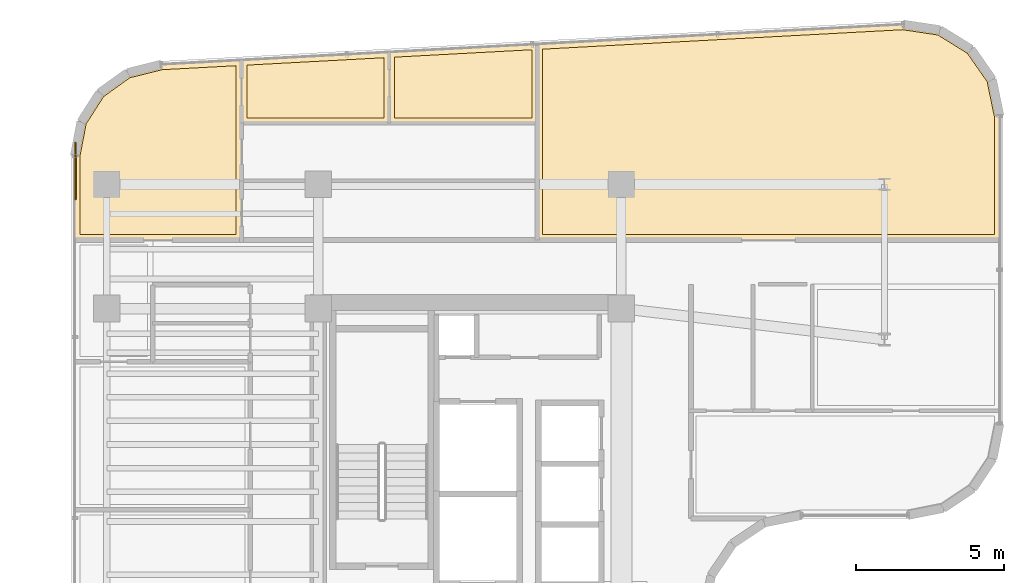
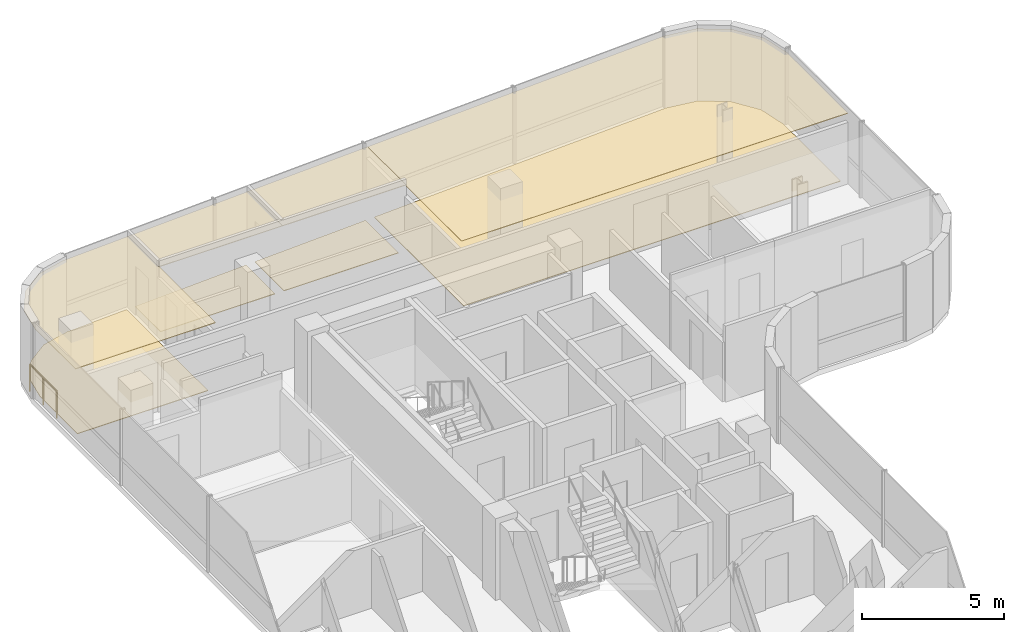
# One storey, part 24 of 24: 8 coverings, 1 railing.
"""IFC4 building model written with IfcOpenShell, lengths in metres."""

from ifc_helpers import new_model, si_unit, direction, frame, origin, origin_2d, place, context, subcontext, project, spatial, polyline, circle, outline, extrude, material, layer, layer_set, type_object, element, save


model = new_model("IFC4")

# Units and contexts
model_context = context("Model", 3, precision=1e-05, world=origin(), true_north=direction((0.0, 1.0)))
body_context = subcontext(model_context, "Body", "Model", "MODEL_VIEW")
ifc_project = project(units=[si_unit("LENGTHUNIT", "METRE"), si_unit("AREAUNIT", "SQUARE_METRE"), si_unit("VOLUMEUNIT", "CUBIC_METRE"), si_unit("PLANEANGLEUNIT", "RADIAN"), si_unit("MASSUNIT", "GRAM", prefix="KILO")], contexts=[model_context])

# Site, building, storey
site_placement = place(None, origin())
site = spatial("IfcSite", under=ifc_project, at=site_placement, CompositionType="ELEMENT")
building_placement = place(site_placement, origin())
building = spatial("IfcBuilding", under=site, at=building_placement, Name="Valdorenza Pilgrim Sanctuary Tower", CompositionType="ELEMENT")
storey_placement = place(building_placement, frame((0.0, 0.0, 205.5)))
storey = spatial("IfcBuildingStorey", under=building, at=storey_placement, Name="L52", CompositionType="ELEMENT", Elevation=205.5)

# Coverings
ifc_material_1 = material(Name="Micro-perforated acoustic mineral ceiling tile", Category="gypsum")
ifc_layer_1 = layer(ifc_material_1, 0.02490234375, Name="Micro-perforated acoustic mineral ceiling tile")
ifc_layer_set_1 = layer_set([ifc_layer_1], Name="Micro-perforated acoustic mineral ceiling tile")
covering_type_1 = type_object("IfcCoveringType", Name="COV-CLG-ACU", PredefinedType="CEILING", material=ifc_layer_set_1)
covering_1_placement = place(storey_placement, frame((0.0, 0.0, 2.9599609375)))
element("IfcCovering", 1, at=covering_1_placement, inside=storey, type_object=covering_type_1, Name="L52 North Grand Residence L52-N1 Bedroom 1 Acoustic Ceiling", PredefinedType="CEILING", context=body_context, shape_type="SweptSolid", body=[
    extrude(outline(polyline([(-25.24560546875, 16.85498046875), (-25.2470703125, 16.85498046875), (-25.24853515625, 16.855224609375), (-25.25, 16.855712890625), (-25.251220703125, 16.856201171875), (-25.252685546875, 16.856689453125), (-25.25390625, 16.857421875), (-25.255126953125, 16.8583984375), (-25.256103515625, 16.859375), (-25.257080078125, 16.860595703125), (-25.258056640625, 16.86181640625), (-25.2587890625, 16.86279296875), (-25.259521484375, 16.8642578125), (-25.260009765625, 16.865478515625), (-25.26025390625, 16.8671875), (-25.260498046875, 16.868408203125), (-25.260498046875, 16.8701171875), (-25.260498046875, 19.00048828125), (-25.260498046875, 19.001953125), (-25.26025390625, 19.00341796875), (-25.260009765625, 19.0048828125), (-25.259521484375, 19.00634765625), (-25.2587890625, 19.0078125), (-25.2578125, 19.009033203125), (-25.257080078125, 19.01025390625), (-25.256103515625, 19.01123046875), (-25.2548828125, 19.01220703125), (-25.253662109375, 19.01318359375), (-25.252197265625, 19.013916015625), (-25.250732421875, 19.014404296875), (-25.24951171875, 19.014892578125), (-25.247802734375, 19.01513671875), (-25.246337890625, 19.015380859375), (-20.24853515625, 19.28515625), (-20.247314453125, 19.28515625), (-20.24560546875, 19.284912109375), (-20.244384765625, 19.28466796875), (-20.242919921875, 19.2841796875), (-20.24169921875, 19.28369140625), (-20.240478515625, 19.283203125), (-20.239013671875, 19.282470703125), (-20.238037109375, 19.281494140625), (-20.237060546875, 19.280517578125), (-20.236083984375, 19.279296875), (-20.235107421875, 19.2783203125), (-20.234619140625, 19.277099609375), (-20.23388671875, 19.275634765625), (-20.2333984375, 19.2744140625), (-20.233154296875, 19.27294921875), (-20.23291015625, 19.271484375), (-20.23291015625, 19.27001953125), (-20.23291015625, 16.8701171875), (-20.23291015625, 16.868408203125), (-20.233154296875, 16.8671875), (-20.2333984375, 16.865478515625), (-20.23388671875, 16.8642578125), (-20.234619140625, 16.86279296875), (-20.2353515625, 16.86181640625), (-20.236083984375, 16.860595703125), (-20.2373046875, 16.859375), (-20.23828125, 16.8583984375), (-20.239501953125, 16.857421875), (-20.24072265625, 16.856689453125), (-20.2421875, 16.856201171875), (-20.243408203125, 16.855712890625), (-20.244873046875, 16.855224609375), (-20.246337890625, 16.85498046875), (-20.247802734375, 16.85498046875), (-25.24560546875, 16.85498046875)])), origin(), (0.0, 0.0, 1.0), 0.025146484375),
])
covering_2_placement = place(storey_placement, frame((0.0, 0.0, 2.9599609375)))
element("IfcCovering", 2, at=covering_2_placement, inside=storey, type_object=covering_type_1, Name="L52 North Grand Residence L52-N1 Bedroom 2 Acoustic Ceiling", PredefinedType="CEILING", context=body_context, shape_type="SweptSolid", body=[
    extrude(outline(polyline([(-20.2607421875, 19.27001953125), (-20.2607421875, 19.27099609375), (-20.260498046875, 19.2724609375), (-20.260498046875, 19.27392578125), (-20.260009765625, 19.275390625), (-20.259521484375, 19.276611328125), (-20.2587890625, 19.27783203125), (-20.2578125, 19.279052734375), (-20.2568359375, 19.2802734375), (-20.255859375, 19.28125), (-20.2548828125, 19.2822265625), (-20.253662109375, 19.283203125), (-20.252197265625, 19.28369140625), (-20.2509765625, 19.2841796875), (-20.24951171875, 19.284912109375), (-20.248046875, 19.28515625), (-20.24658203125, 19.28515625), (-15.251708984375, 19.5546875), (-15.250732421875, 19.5546875), (-15.25, 19.5546875), (-15.24853515625, 19.5546875), (-15.2470703125, 19.554443359375), (-15.24560546875, 19.55419921875), (-15.244384765625, 19.5537109375), (-15.242919921875, 19.552978515625), (-15.24169921875, 19.55224609375), (-15.240478515625, 19.551513671875), (-15.239501953125, 19.55029296875), (-15.23828125, 19.54931640625), (-15.237548828125, 19.548095703125), (-15.23681640625, 19.546875), (-15.236083984375, 19.54541015625), (-15.235595703125, 19.544189453125), (-15.2353515625, 19.542724609375), (-15.235107421875, 19.541259765625), (-15.235107421875, 19.539794921875), (-15.235107421875, 16.8701171875), (-15.235107421875, 16.868408203125), (-15.2353515625, 16.8671875), (-15.235595703125, 16.865478515625), (-15.236083984375, 16.8642578125), (-15.23681640625, 16.86279296875), (-15.237548828125, 16.86181640625), (-15.23828125, 16.860595703125), (-15.239501953125, 16.859375), (-15.240478515625, 16.8583984375), (-15.24169921875, 16.857421875), (-15.242919921875, 16.856689453125), (-15.244384765625, 16.856201171875), (-15.24560546875, 16.855712890625), (-15.2470703125, 16.855224609375), (-15.24853515625, 16.85498046875), (-15.25, 16.85498046875), (-20.245849609375, 16.85498046875), (-20.247314453125, 16.85498046875), (-20.248779296875, 16.855224609375), (-20.250244140625, 16.855712890625), (-20.25146484375, 16.856201171875), (-20.2529296875, 16.856689453125), (-20.254150390625, 16.857421875), (-20.25537109375, 16.8583984375), (-20.25634765625, 16.859375), (-20.25732421875, 16.860595703125), (-20.25830078125, 16.86181640625), (-20.259033203125, 16.86279296875), (-20.259765625, 16.8642578125), (-20.26025390625, 16.865478515625), (-20.260498046875, 16.8671875), (-20.2607421875, 16.868408203125), (-20.2607421875, 16.8701171875), (-20.2607421875, 19.27001953125), (-20.2607421875, 19.27001953125)])), origin(), (0.0, 0.0, 1.0), 0.025146484375),
])
covering_3_placement = place(storey_placement, frame((0.0, 0.0, 2.9599609375)))
element("IfcCovering", 3, at=covering_3_placement, inside=storey, type_object=covering_type_1, Name="L52 North Grand Residence L52-N1 Living Room Acoustic Ceiling", PredefinedType="CEILING", context=body_context, shape_type="SweptSolid", body=[
    extrude(outline(polyline([(-28.25537109375, 12.906982421875), (-30.889892578125, 12.906982421875), (-30.8916015625, 12.906982421875), (-30.892822265625, 12.9072265625), (-30.894287109375, 12.90771484375), (-30.895751953125, 12.908203125), (-30.897216796875, 12.90869140625), (-30.898193359375, 12.909423828125), (-30.8994140625, 12.910400390625), (-30.900634765625, 12.911376953125), (-30.901611328125, 12.91259765625), (-30.902587890625, 12.913818359375), (-30.9033203125, 12.914794921875), (-30.90380859375, 12.916259765625), (-30.904296875, 12.91748046875), (-30.90478515625, 12.919189453125), (-30.90478515625, 12.92041015625), (-30.905029296875, 12.922119140625), (-30.905029296875, 15.757568359375), (-30.90478515625, 15.759033203125), (-30.90478515625, 15.760498046875), (-30.683349609375, 16.9140625), (-30.68310546875, 16.915283203125), (-30.6826171875, 16.916748046875), (-30.681884765625, 16.918212890625), (-30.681396484375, 16.919189453125), (-30.05419921875, 17.89990234375), (-30.053466796875, 17.901123046875), (-30.052490234375, 17.90234375), (-30.051513671875, 17.9033203125), (-30.05029296875, 17.904052734375), (-29.104736328125, 18.5830078125), (-29.103515625, 18.583740234375), (-29.102294921875, 18.58447265625), (-29.10107421875, 18.5849609375), (-29.099609375, 18.58544921875), (-27.959716796875, 18.86865234375), (-27.958251953125, 18.868896484375), (-27.956787109375, 18.869140625), (-25.248291015625, 19.015380859375), (-25.2470703125, 19.015380859375), (-25.24560546875, 19.01513671875), (-25.244140625, 19.014892578125), (-25.242919921875, 19.014404296875), (-25.241455078125, 19.013916015625), (-25.240234375, 19.01318359375), (-25.239013671875, 19.012451171875), (-25.23779296875, 19.01171875), (-25.23681640625, 19.0107421875), (-25.23583984375, 19.009521484375), (-25.235107421875, 19.00830078125), (-25.234375, 19.007080078125), (-25.233642578125, 19.005859375), (-25.233154296875, 19.00439453125), (-25.23291015625, 19.003173828125), (-25.232666015625, 19.001708984375), (-25.232666015625, 19.000244140625), (-25.232666015625, 16.87548828125), (-25.232421875, 16.875), (-25.231689453125, 16.87353515625), (-25.231201171875, 16.872314453125), (-25.23095703125, 16.870849609375), (-25.230712890625, 16.869384765625), (-25.230712890625, 16.867919921875), (-25.230712890625, 12.919921875), (-25.230712890625, 12.91845703125), (-25.23095703125, 12.9169921875), (-25.231201171875, 12.91552734375), (-25.231689453125, 12.914306640625), (-25.232421875, 12.912841796875), (-25.233154296875, 12.91162109375), (-25.23388671875, 12.910400390625), (-25.235107421875, 12.909423828125), (-25.236083984375, 12.908447265625), (-25.2373046875, 12.907470703125), (-25.238525390625, 12.90673828125), (-25.239990234375, 12.906005859375), (-25.2412109375, 12.905517578125), (-25.24267578125, 12.9052734375), (-25.244140625, 12.905029296875), (-25.24560546875, 12.905029296875), (-28.248046875, 12.905029296875), (-28.24951171875, 12.905029296875), (-28.250732421875, 12.9052734375), (-28.252197265625, 12.905517578125), (-28.253662109375, 12.906005859375), (-28.2548828125, 12.90673828125), (-28.25537109375, 12.906982421875)])), origin(), (0.0, 0.0, 1.0), 0.025146484375),
])
covering_4_placement = place(storey_placement, frame((0.0, 0.0, 2.9599609375)))
element("IfcCovering", 4, at=covering_4_placement, inside=storey, type_object=covering_type_1, Name="L52 Sacred Archive Reading Library L52-N2 Acoustic Ceiling", PredefinedType="CEILING", context=body_context, shape_type="SweptSolid", body=[
    extrude(outline(polyline([(-15.262939453125, 14.918212890625), (-15.26318359375, 14.9189453125), (-15.26318359375, 14.92041015625), (-15.26318359375, 14.922119140625), (-15.26318359375, 14.923583984375), (-15.262939453125, 14.923828125), (-15.262939453125, 16.8662109375), (-15.26318359375, 16.866943359375), (-15.26318359375, 16.868408203125), (-15.26318359375, 16.8701171875), (-15.26318359375, 16.87158203125), (-15.262939453125, 16.871826171875), (-15.262939453125, 19.539794921875), (-15.262939453125, 19.539794921875), (-15.262939453125, 19.540771484375), (-15.2626953125, 19.5419921875), (-15.2626953125, 19.543701171875), (-15.26220703125, 19.544921875), (-15.26171875, 19.54638671875), (-15.260986328125, 19.547607421875), (-15.260009765625, 19.548828125), (-15.259033203125, 19.550048828125), (-15.258056640625, 19.551025390625), (-15.257080078125, 19.552001953125), (-15.255859375, 19.552734375), (-15.25439453125, 19.553466796875), (-15.253173828125, 19.55419921875), (-15.251708984375, 19.554443359375), (-15.250244140625, 19.5546875), (-15.248779296875, 19.554931640625), (-2.87841796875, 20.222412109375), (-2.876953125, 20.222412109375), (-2.87548828125, 20.222412109375), (-1.63232421875, 20.035400390625), (-1.630859375, 20.03515625), (-1.62939453125, 20.034912109375), (-1.628173828125, 20.0341796875), (-1.626708984375, 20.033447265625), (-0.568359375, 19.376708984375), (-0.567138671875, 19.3759765625), (-0.56591796875, 19.375), (-0.56494140625, 19.373779296875), (-0.56396484375, 19.372802734375), (0.148681640625, 18.351318359375), (0.1494140625, 18.349853515625), (0.150146484375, 18.3486328125), (0.150634765625, 18.34716796875), (0.151123046875, 18.345703125), (0.40478515625, 17.114501953125), (0.40478515625, 17.11279296875), (0.405029296875, 17.111328125), (0.405029296875, 12.919921875), (0.40478515625, 12.91845703125), (0.40478515625, 12.9169921875), (0.404296875, 12.91552734375), (0.40380859375, 12.914306640625), (0.4033203125, 12.912841796875), (0.402587890625, 12.91162109375), (0.401611328125, 12.910400390625), (0.400634765625, 12.909423828125), (0.3994140625, 12.908447265625), (0.398193359375, 12.907470703125), (0.397216796875, 12.90673828125), (0.395751953125, 12.906005859375), (0.394287109375, 12.905517578125), (0.392822265625, 12.9052734375), (0.3916015625, 12.905029296875), (0.389892578125, 12.905029296875), (-15.248046875, 12.905029296875), (-15.24951171875, 12.905029296875), (-15.2509765625, 12.9052734375), (-15.25244140625, 12.905517578125), (-15.253662109375, 12.906005859375), (-15.255126953125, 12.90673828125), (-15.25634765625, 12.907470703125), (-15.257568359375, 12.908447265625), (-15.258544921875, 12.909423828125), (-15.259521484375, 12.910400390625), (-15.260498046875, 12.91162109375), (-15.26123046875, 12.912841796875), (-15.261962890625, 12.914306640625), (-15.262451171875, 12.91552734375), (-15.2626953125, 12.9169921875), (-15.262939453125, 12.91845703125), (-15.262939453125, 12.919921875), (-15.262939453125, 14.918212890625)])), origin(), (0.0, 0.0, 1.0), 0.025146484375),
])
ifc_material_2 = material(Name="Engineered European oak timber flooring", Category="wood")
ifc_layer_2 = layer(ifc_material_2, 0.02197265625, Name="Engineered European oak timber flooring")
ifc_layer_set_2 = layer_set([ifc_layer_2], Name="Engineered European oak timber flooring")
covering_type_2 = type_object("IfcCoveringType", Name="COV-FLR-OAK", PredefinedType="FLOORING", material=ifc_layer_set_2)
covering_5_placement = place(storey_placement, origin())
element("IfcCovering", 5, at=covering_5_placement, inside=storey, type_object=covering_type_2, Name="L52 North Grand Residence L52-N1 Bedroom 1 Flooring", PredefinedType="FLOORING", context=body_context, shape_type="SweptSolid", body=[
    extrude(outline(polyline([(-25.065673828125, 17.050048828125), (-25.065673828125, 18.829833984375), (-20.427734375, 19.080078125), (-20.427734375, 17.050048828125), (-25.065673828125, 17.050048828125)])), origin(), (0.0, 0.0, 1.0), 0.02490234375),
])
covering_6_placement = place(storey_placement, origin())
element("IfcCovering", 6, at=covering_6_placement, inside=storey, type_object=covering_type_2, Name="L52 North Grand Residence L52-N1 Bedroom 2 Flooring", PredefinedType="FLOORING", context=body_context, shape_type="SweptSolid", body=[
    extrude(outline(polyline([(-15.43017578125, 17.050048828125), (-20.06591796875, 17.050048828125), (-20.06591796875, 19.099609375), (-15.430908203125, 19.349853515625), (-15.43017578125, 17.050048828125)])), origin(), (0.0, 0.0, 1.0), 0.02490234375),
])
covering_7_placement = place(storey_placement, origin())
element("IfcCovering", 7, at=covering_7_placement, inside=storey, type_object=covering_type_2, Name="L52 North Grand Residence L52-N1 Living Room Flooring", PredefinedType="FLOORING", context=body_context, shape_type="SweptSolid", body=[
    extrude(outline(polyline([(-28.22314453125, 13.10009765625), (-28.22314453125, 13.10009765625), (-28.223388671875, 13.10009765625), (-28.240966796875, 13.101806640625), (-28.2412109375, 13.101806640625), (-28.25, 13.10205078125), (-30.7099609375, 13.10205078125), (-30.7099609375, 15.740478515625), (-30.498291015625, 16.843505859375), (-29.90869140625, 17.765869140625), (-29.019287109375, 18.404541015625), (-27.92919921875, 18.67529296875), (-25.427490234375, 18.810302734375), (-25.427490234375, 16.8701171875), (-25.42578125, 13.10009765625), (-28.22314453125, 13.10009765625)])), origin(), (0.0, 0.0, 1.0), 0.02490234375),
])
ifc_material_3 = material(Name="Honed travertine stone flooring", Category="masonry")
ifc_layer_3 = layer(ifc_material_3, 0.030029296875, Name="Honed travertine stone flooring")
ifc_layer_set_3 = layer_set([ifc_layer_3], Name="Honed travertine stone flooring")
covering_type_3 = type_object("IfcCoveringType", Name="COV-FLR-TRV", PredefinedType="FLOORING", material=ifc_layer_set_3)
covering_8_placement = place(storey_placement, origin())
element("IfcCovering", 8, at=covering_8_placement, inside=storey, type_object=covering_type_3, Name="L52 Sacred Archive Reading Library L52-N2 Flooring", PredefinedType="FLOORING", context=body_context, shape_type="SweptSolid", body=[
    extrude(outline(polyline([(-15.068115234375, 14.921630859375), (-15.068115234375, 14.922119140625), (-15.068115234375, 16.867919921875), (-15.068115234375, 16.868896484375), (-15.068115234375, 16.86962890625), (-15.068115234375, 16.8701171875), (-15.068115234375, 19.369384765625), (-2.88623046875, 20.02685546875), (-1.697998046875, 19.84814453125), (-0.70263671875, 19.230712890625), (-0.032470703125, 18.27001953125), (0.2099609375, 17.093017578125), (0.2099609375, 13.10009765625), (-15.068115234375, 13.10009765625), (-15.068115234375, 14.919921875), (-15.068115234375, 14.9208984375), (-15.068115234375, 14.921630859375)])), origin(), (0.0, 0.0, 1.0), 0.02490234375),
])

# Railing
ifc_material_4 = material(Name="Stainless steel Grade 316", Category="steel")
railing_type = type_object("IfcRailingType", Name="RLG-GRD-1120", PredefinedType="GUARDRAIL", material=ifc_material_4)
railing_placement = place(storey_placement, frame((-30.860107421875, 14.300048828125, 0.0)))
element("IfcRailing", 9, at=railing_placement, inside=storey, type_object=railing_type, Name="L52 NW Tangent Safety Sill Guard", PredefinedType="GUARDRAIL", context=body_context, shape_type="SweptSolid", body=[
    extrude(circle(Radius=0.02392578125, at=origin_2d()), frame((0.0, 0.0, 1.17578125), z_axis=(0.0, 1.0, 0.0), x_axis=(-1.0, 0.0, 0.0)), (0.0, 0.0, 1.0), 1.89990234375),
    extrude(circle(Radius=0.02099609375, at=origin_2d()), origin(), (0.0, 0.0, 1.0), 1.15185546875),
    extrude(circle(Radius=0.02099609375, at=origin_2d()), frame((0.0, 0.949951171875, 0.0)), (0.0, 0.0, 1.0), 1.15185546875),
    extrude(circle(Radius=0.02099609375, at=origin_2d()), frame((0.0, 1.89990234375, 0.0)), (0.0, 0.0, 1.0), 1.15185546875),
])

save(model, "model.ifc")
